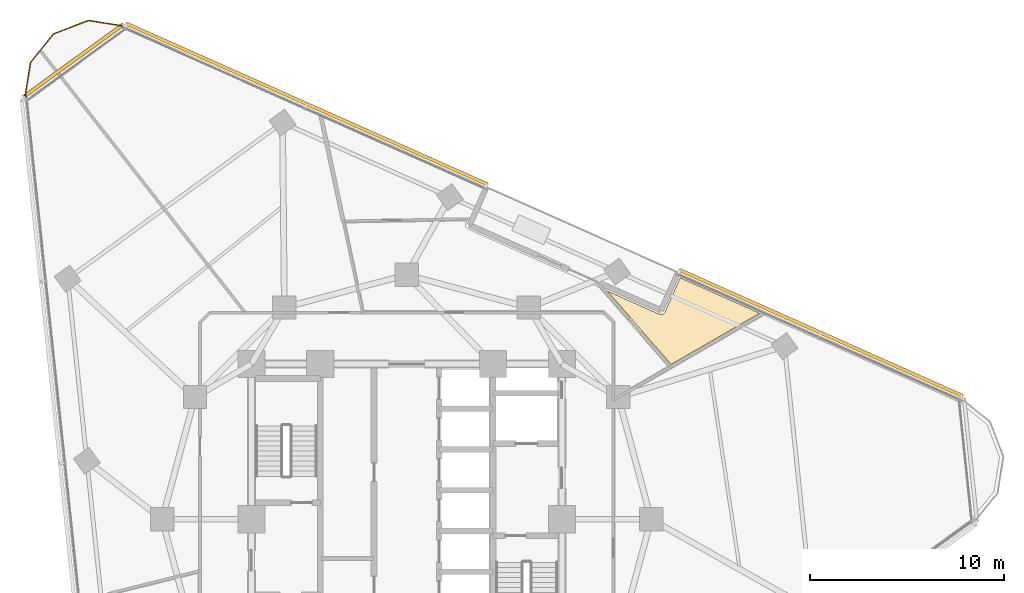
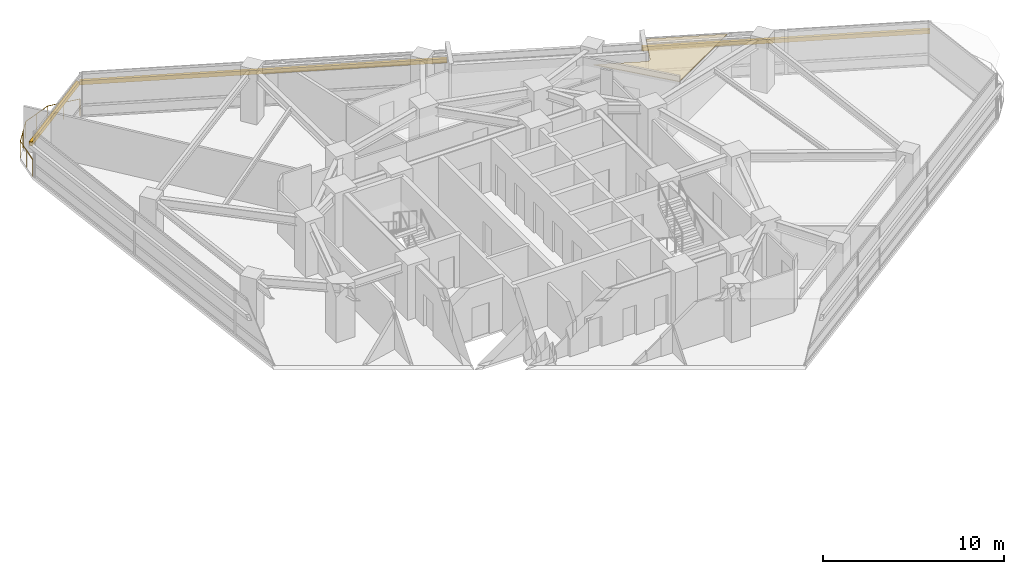
# One storey, part 14 of 14: 3 shading devices, 1 covering, 1 railing.
"""IFC4 building model written with IfcOpenShell, lengths in metres."""

from ifc_helpers import new_model, si_unit, direction, frame, origin, origin_2d, place, context, subcontext, project, spatial, polyline, rectangle, circle, outline, extrude, material, layer, layer_set, type_object, element, save


model = new_model("IFC4")

# Units and contexts
model_context = context("Model", 3, precision=1e-05, world=origin(), true_north=direction((0.0, 1.0)))
body_context = subcontext(model_context, "Body", "Model", "MODEL_VIEW")
ifc_project = project(units=[si_unit("LENGTHUNIT", "METRE"), si_unit("AREAUNIT", "SQUARE_METRE"), si_unit("VOLUMEUNIT", "CUBIC_METRE"), si_unit("PLANEANGLEUNIT", "RADIAN"), si_unit("MASSUNIT", "GRAM", prefix="KILO")], contexts=[model_context])

# Site, building, storey
site_placement = place(None, origin())
site = spatial("IfcSite", under=ifc_project, at=site_placement, CompositionType="ELEMENT")
building_placement = place(site_placement, origin())
building = spatial("IfcBuilding", under=site, at=building_placement, Name="Terralouvre Media Tower", CompositionType="ELEMENT")
storey_placement = place(building_placement, frame((0.0, 0.0, 176.800048828125)))
storey = spatial("IfcBuildingStorey", under=building, at=storey_placement, Name="L45", CompositionType="ELEMENT", Elevation=176.800048828125)

# Covering
ifc_material_1 = material(Name="Perforated aluminium acoustic ceiling baffle", Category="aluminium")
ifc_layer_1 = layer(ifc_material_1, 0.0400390625, Name="Perforated Acoustic Metal Tile Ceiling CL-AC1")
ifc_layer_set_1 = layer_set([ifc_layer_1], Name="Perforated aluminium acoustic ceiling baffle")
covering_type = type_object("IfcCoveringType", Name="Perforated Acoustic Metal Tile Ceiling CL-AC1", PredefinedType="CEILING", material=ifc_layer_set_1)
covering_placement = place(storey_placement, frame((0.0, 0.0, 2.97998046875), z_axis=(0.0, 0.0, 1.0), x_axis=(0.809016994375, 0.587785252292, 0.0)))
element("IfcCovering", 1, at=covering_placement, inside=storey, type_object=covering_type, Name="L45 Staff Quiet Reading Club 5 Acoustic Ceiling", PredefinedType="CEILING", context=body_context, shape_type="SweptSolid", body=[
    extrude(outline(polyline([(20.96630859375, -2.102783203125), (18.72412109375, 1.7802734375), (17.052001953125, 0.81494140625), (17.048095703125, 0.81298828125), (17.0380859375, 0.807861328125), (17.024658203125, 0.802001953125), (17.01318359375, 0.798095703125), (17.00830078125, 0.79638671875), (16.997314453125, 0.793212890625), (16.990966796875, 0.791748046875), (16.979248046875, 0.7890625), (16.97021484375, 0.78759765625), (16.961181640625, 0.786865234375), (16.94970703125, 0.786376953125), (16.94482421875, 0.786376953125), (16.9326171875, 0.78662109375), (16.925537109375, 0.787109375), (16.913818359375, 0.7880859375), (16.902587890625, 0.78955078125), (16.890869140625, 0.7919921875), (16.883056640625, 0.7939453125), (16.87548828125, 0.796630859375), (16.86474609375, 0.800537109375), (16.85400390625, 0.8046875), (16.845703125, 0.80810546875), (16.837646484375, 0.8125), (16.827392578125, 0.81884765625), (16.817138671875, 0.824951171875), (16.81005859375, 0.82958984375), (16.8037109375, 0.834716796875), (16.79443359375, 0.8427734375), (16.78759765625, 0.849365234375), (16.77978515625, 0.857421875), (16.774169921875, 0.864013671875), (16.766845703125, 0.872802734375), (16.76220703125, 0.87939453125), (16.758056640625, 0.88623046875), (16.752197265625, 0.896240234375), (15.2841796875, 3.43798828125), (15.720458984375, -1.552001953125), (20.96630859375, -2.102783203125)])), origin(), (0.0, 0.0, 1.0), 0.0400390625),
])

# Railing
ifc_material_2 = material(Name="Stainless steel 316 handrail and balustrade", Category="steel")
ifc_layer_2 = layer(ifc_material_2, 0.06005859375, Name="Roof Edge Safety Guardrail GR-ROOF1")
ifc_layer_set_2 = layer_set([ifc_layer_2], Name="Stainless steel 316 handrail and balustrade")
railing_type = type_object("IfcRailingType", Name="Roof Edge Safety Guardrail GR-ROOF1", PredefinedType="GUARDRAIL", material=ifc_layer_set_2)
railing_placement = place(storey_placement, frame((-14.50537109375, 25.41357421875, 0.0)))
element("IfcRailing", 2, at=railing_placement, inside=storey, type_object=railing_type, Name="L45 Wind-Corner Perimeter Safety Guardrail C2", PredefinedType="GUARDRAIL", context=body_context, shape_type="SweptSolid", body=[
    extrude(circle(Radius=0.02099609375, at=origin_2d()), frame((0.0, 0.0, 1.12890625), z_axis=(-0.987645867018, 0.156702397439, 0.0), x_axis=(-0.156702397439, -0.987645867018, 0.0)), (0.0, 0.0, 1.0), 1.914794921875),
    extrude(circle(Radius=0.02099609375, at=origin_2d()), frame((-1.89111328125, 0.300048828125, 1.12890625), z_axis=(-0.933575508152, -0.358380762009, 0.0), x_axis=(0.358380762009, -0.933575508152, 0.0)), (0.0, 0.0, 1.0), 1.914306640625),
    extrude(circle(Radius=0.02099609375, at=origin_2d()), frame((-3.67822265625, -0.385986328125, 1.12890625), z_axis=(-0.629256927844, -0.777197348658, 0.0), x_axis=(0.777197348658, -0.629256927844, 0.0)), (0.0, 0.0, 1.0), 1.914306640625),
    extrude(circle(Radius=0.02099609375, at=origin_2d()), frame((-4.8828125, -1.873779296875, 1.12890625), z_axis=(-0.156204845685, -0.987724681369, 0.0), x_axis=(0.987724681369, -0.156204845685, 0.0)), (0.0, 0.0, 1.0), 1.91455078125),
    extrude(circle(Radius=0.01904296875, at=origin_2d()), origin(), (0.0, 0.0, 1.0), 1.10791015625),
    extrude(circle(Radius=0.01904296875, at=origin_2d()), frame((-0.945556640625, 0.14990234375, 0.0)), (0.0, 0.0, 1.0), 1.10791015625),
    extrude(circle(Radius=0.01904296875, at=origin_2d()), frame((-1.89111328125, 0.300048828125, 0.0)), (0.0, 0.0, 1.0), 1.10791015625),
    extrude(circle(Radius=0.01904296875, at=origin_2d()), frame((-2.78466796875, -0.04296875, 0.0)), (0.0, 0.0, 1.0), 1.10791015625),
    extrude(circle(Radius=0.01904296875, at=origin_2d()), frame((-3.67822265625, -0.385986328125, 0.0)), (0.0, 0.0, 1.0), 1.10791015625),
    extrude(circle(Radius=0.01904296875, at=origin_2d()), frame((-4.280517578125, -1.1298828125, 0.0)), (0.0, 0.0, 1.0), 1.10791015625),
    extrude(circle(Radius=0.01904296875, at=origin_2d()), frame((-4.8828125, -1.873779296875, 0.0)), (0.0, 0.0, 1.0), 1.10791015625),
    extrude(circle(Radius=0.01904296875, at=origin_2d()), frame((-5.0322265625, -2.8193359375, 0.0)), (0.0, 0.0, 1.0), 1.10791015625),
    extrude(circle(Radius=0.01904296875, at=origin_2d()), frame((-5.181884765625, -3.764892578125, 0.0)), (0.0, 0.0, 1.0), 1.10791015625),
])

# Shading devices
ifc_material_3 = material(Name="Extruded terracotta baguette sunshade louvres", Category="masonry")
shading_device_type = type_object("IfcShadingDeviceType", Name="Terracotta Baguette Sunshade Louvre Screen TB-LV1", PredefinedType="USERDEFINED", material=ifc_material_3)
shading_device_1_placement = place(storey_placement, frame((21.355224609375, 9.6103515625, 2.02392578125), z_axis=(0.0, 0.0, 1.0), x_axis=(-0.913545295759, 0.406737006671, 0.0)))
element("IfcShadingDevice", 3, at=shading_device_1_placement, inside=storey, type_object=shading_device_type, Name="CW-L45-F1L Terracotta Baguette Sunshade Louvre", ObjectType="BAGUETTE", PredefinedType="USERDEFINED", context=body_context, shape_type="SweptSolid", body=[
    extrude(rectangle(XDim=16.0, YDim=0.179931640625, at=origin_2d()), origin(), (0.0, 0.0, 1.0), 0.280029296875),
])
shading_device_2_placement = place(storey_placement, frame((-5.1376953125, 21.40576171875, 2.02392578125), z_axis=(0.0, 0.0, 1.0), x_axis=(-0.913545697294, 0.40673610481, 0.0)))
element("IfcShadingDevice", 4, at=shading_device_2_placement, inside=storey, type_object=shading_device_type, Name="CW-L45-F1R Terracotta Baguette Sunshade Louvre", ObjectType="BAGUETTE", PredefinedType="USERDEFINED", context=body_context, shape_type="SweptSolid", body=[
    extrude(rectangle(XDim=20.39990234375, YDim=0.179931640625, at=origin_2d()), origin(), (0.0, 0.0, 1.0), 0.280029296875),
])
shading_device_3_placement = place(storey_placement, frame((-17.175537109375, 23.64013671875, 2.02392578125), z_axis=(0.0, 0.0, 1.0), x_axis=(-0.809017438344, -0.587784641221, 0.0)))
element("IfcShadingDevice", 5, at=shading_device_3_placement, inside=storey, type_object=shading_device_type, Name="CW-L45-C2 Terracotta Baguette Sunshade Louvre", ObjectType="BAGUETTE", PredefinedType="USERDEFINED", context=body_context, shape_type="SweptSolid", body=[
    extrude(rectangle(XDim=6.40869140625, YDim=0.179931640625, at=origin_2d()), origin(), (0.0, 0.0, 1.0), 0.280029296875),
])

save(model, "model.ifc")
